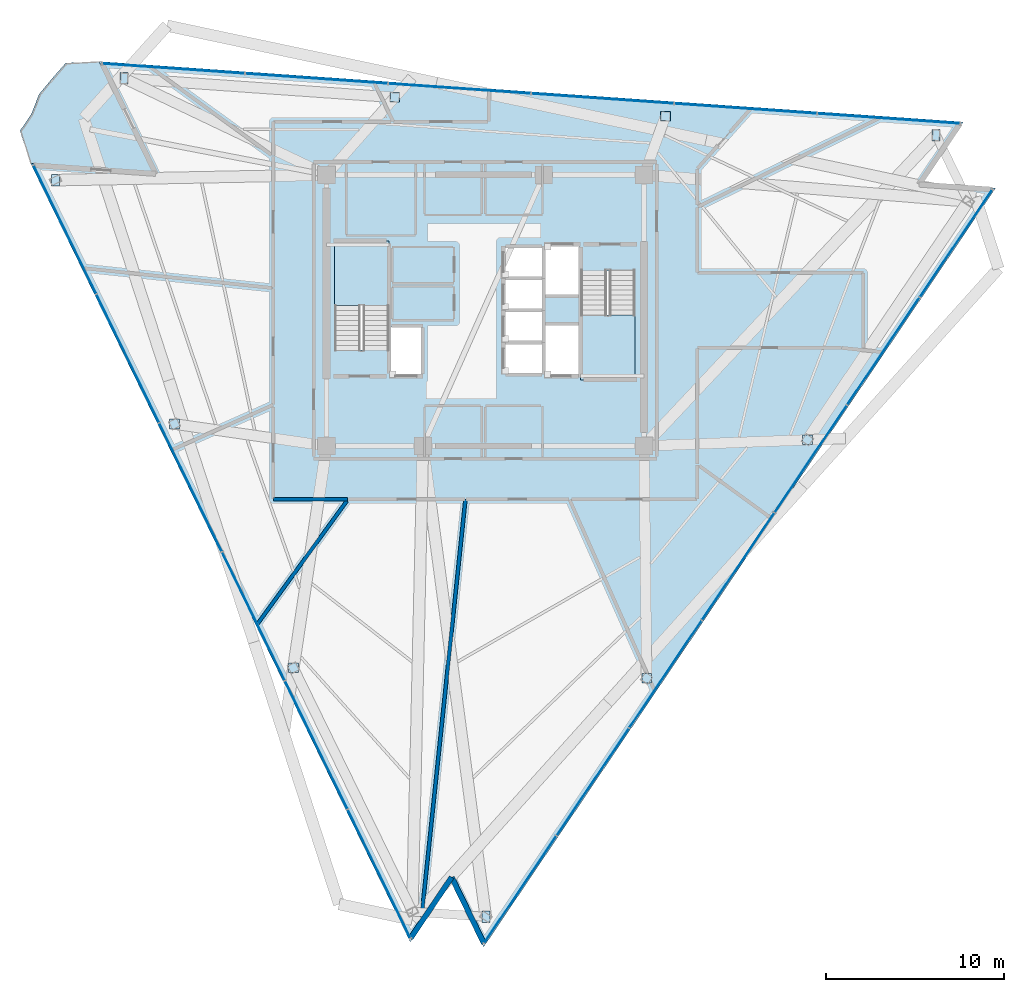
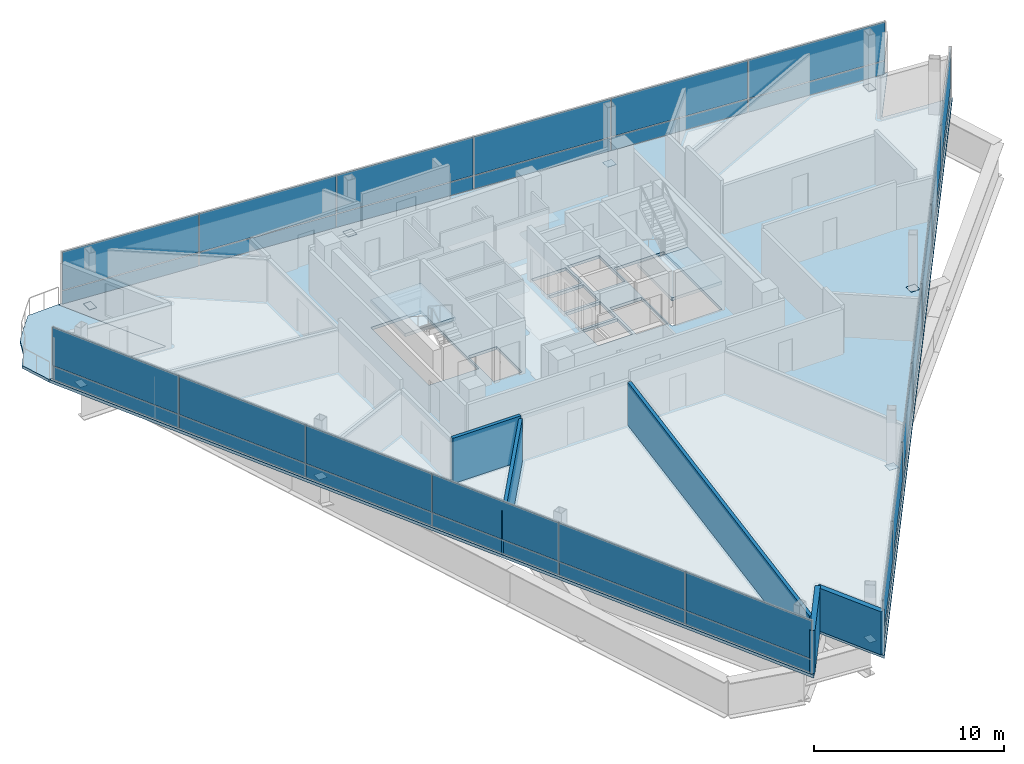
# One storey, part 8 of 14: 48 plates, 5 walls, 4 slabs, 5 elements without a shape of their own.
"""IFC4 building model written with IfcOpenShell, lengths in metres."""

import ifcopenshell
import ifcopenshell.guid

model = None  # the IFC model being written
_history = None  # IfcOwnerHistory: only IFC2X3 demands one
_inside = {}  # id of a spatial element -> (the spatial element, [elements in it])
_under = {}  # id of a project, library or spatial element -> (it, [spatial elements below it])
_declared = {}  # id of a project -> (the project, [libraries it declares])
_typed = {}  # id of a type object -> (the type object, [elements of that type])
_made_of = {}  # id of a material, layer set ... -> (it, [elements and type objects made of it])


def new_model(schema):
    """Start an empty IFC model of exactly this schema.

    Asked for "IFC4X3", IfcOpenShell would pick the latest addendum, in which some entities
    have other attributes; the version numbers below select the first issue.
    IFC2X3 requires an IfcOwnerHistory on every rooted entity: one is made here for all.
    """
    global model, _history
    if schema == "IFC4X3":
        model = ifcopenshell.file(schema_version=(4, 3, 0, 0))
    else:
        model = ifcopenshell.file(schema=schema)
    _inside.clear()
    _under.clear()
    _declared.clear()
    _typed.clear()
    _made_of.clear()
    _history = None
    if model.schema == "IFC2X3":
        org = make("IfcOrganization", Name="unknown")
        user = make(
            "IfcPersonAndOrganization",
            ThePerson=make("IfcPerson", FamilyName="unknown"),
            TheOrganization=org,
        )
        app = make(
            "IfcApplication",
            ApplicationDeveloper=org,
            Version="unknown",
            ApplicationFullName="unknown",
            ApplicationIdentifier="unknown",
        )
        _history = make(
            "IfcOwnerHistory",
            OwningUser=user,
            OwningApplication=app,
            ChangeAction="ADDED",
            CreationDate=0,
        )
    return model


def make(cls, **values):
    """One entity of the class cls with the attributes given. An attribute that is None is left unset."""
    return model.create_entity(
        cls, **{name: value for name, value in values.items() if value is not None}
    )


def rooted(cls, **values):
    """An entity with a GlobalId (a new one), such as an element, a storey or a relation."""
    return make(cls, GlobalId=ifcopenshell.guid.new(), OwnerHistory=_history, **values)


def si_unit(unit_type, name, prefix=None):
    """IfcSIUnit, for example si_unit("LENGTHUNIT", "METRE", prefix="MILLI")."""
    return make("IfcSIUnit", UnitType=unit_type, Prefix=prefix, Name=name)


def assignment(units):
    """IfcUnitAssignment: the units of a project."""
    return None if units is None else make("IfcUnitAssignment", Units=units)


def point(xyz):
    """IfcCartesianPoint."""
    return None if xyz is None else make("IfcCartesianPoint", Coordinates=xyz)


def direction(xyz):
    """IfcDirection."""
    return None if xyz is None else make("IfcDirection", DirectionRatios=xyz)


def frame(location, z_axis=None, x_axis=None):
    """IfcAxis2Placement3D, a coordinate frame: its origin and axes. An axis left out is left unset."""
    return make(
        "IfcAxis2Placement3D",
        Location=point(location),
        Axis=direction(z_axis),
        RefDirection=direction(x_axis),
    )


def frame_2d(location, x_axis=None):
    """IfcAxis2Placement2D, a coordinate frame in the plane: its origin and x axis."""
    return make(
        "IfcAxis2Placement2D", Location=point(location), RefDirection=direction(x_axis)
    )


def origin():
    """The frame at (0, 0, 0) with its axes left unset."""
    return frame((0.0, 0.0, 0.0))


def origin_2d():
    """The frame at (0, 0) in the plane with its x axis left unset."""
    return frame_2d((0.0, 0.0))


def place(relative_to, where):
    """IfcLocalPlacement: puts the frame where relative to a parent placement (None: the world)."""
    return make(
        "IfcLocalPlacement", PlacementRelTo=relative_to, RelativePlacement=where
    )


def context(
    kind, dimensions, precision=None, world=None, true_north=None, identifier=None
):
    """IfcGeometricRepresentationContext, for example the 3D "Model" context."""
    return make(
        "IfcGeometricRepresentationContext",
        ContextIdentifier=identifier,
        ContextType=kind,
        CoordinateSpaceDimension=dimensions,
        Precision=precision,
        WorldCoordinateSystem=world,
        TrueNorth=true_north,
    )


def subcontext(parent, identifier, kind, view, scale=None):
    """IfcGeometricRepresentationSubContext, for example "Body" below "Model"."""
    return make(
        "IfcGeometricRepresentationSubContext",
        ContextIdentifier=identifier,
        ContextType=kind,
        ParentContext=parent,
        TargetScale=scale,
        TargetView=view,
    )


def project(units=None, contexts=None):
    """IfcProject with its units and contexts."""
    return rooted(
        "IfcProject",
        Name="project",
        RepresentationContexts=contexts,
        UnitsInContext=assignment(units),
    )


def spatial(cls, under=None, at=None, **own):
    """A site, building, storey or space (cls), placed at a placement, below another one or the project."""
    s = rooted(cls, ObjectPlacement=at, **own)
    if under is not None:
        _under.setdefault(under.id(), (under, []))[1].append(s)
    return s


def polyline(points):
    """IfcPolyline through the points."""
    return make("IfcPolyline", Points=[point(p) for p in points])


def profile(cls, at=None, kind="AREA", **sizes):
    """A parametric profile (cls). Its sizes go by their IFC names, for example OverallWidth=200.0."""
    return make(cls, ProfileType=kind, Position=at, **sizes)


def rectangle(**sizes):
    """IfcRectangleProfileDef."""
    return profile("IfcRectangleProfileDef", **sizes)


def outline(outer, holes=None, kind="AREA"):
    """IfcArbitraryClosedProfileDef: a profile drawn as a closed curve; with holes, ...WithVoids."""
    if holes is None:
        return make("IfcArbitraryClosedProfileDef", ProfileType=kind, OuterCurve=outer)
    return make(
        "IfcArbitraryProfileDefWithVoids",
        ProfileType=kind,
        OuterCurve=outer,
        InnerCurves=holes,
    )


def extrude(swept, where, along, depth):
    """IfcExtrudedAreaSolid: the profile swept, set in the frame where, extruded along a direction by depth."""
    return make(
        "IfcExtrudedAreaSolid",
        SweptArea=swept,
        Position=where,
        ExtrudedDirection=direction(along),
        Depth=depth,
    )


def shape(context_of_items, identifier, shape_type, items):
    """IfcShapeRepresentation: the items that make up one representation, for example the "Body"."""
    return make(
        "IfcShapeRepresentation",
        ContextOfItems=context_of_items,
        RepresentationIdentifier=identifier,
        RepresentationType=shape_type,
        Items=items,
    )


def material(Name=None, Category=None):
    """IfcMaterial."""
    return make("IfcMaterial", Name=Name, Category=Category)


def layer(
    of_material, thickness, ventilated=None, Name=None, Category=None, Priority=None
):
    """IfcMaterialLayer: one layer of a wall or slab, of a material (None: an air gap)."""
    return make(
        "IfcMaterialLayer",
        Material=of_material,
        LayerThickness=thickness,
        IsVentilated=ventilated,
        Name=Name,
        Category=Category,
        Priority=Priority,
    )


def layer_set(layers, Name=None):
    """IfcMaterialLayerSet."""
    return make("IfcMaterialLayerSet", MaterialLayers=layers, LayerSetName=Name)


def made_of(thing, what):
    """Note that an element or type object is made of a material, layer set ...; save() writes the relation."""
    if what is not None:
        _made_of.setdefault(what.id(), (what, []))[1].append(thing)
    return thing


def type_object(cls, material=None, **own):
    """A type object (cls), such as IfcWallType, which elements share."""
    return made_of(rooted(cls, **own), material)


def element(
    cls,
    number,
    at=None,
    inside=None,
    cuts=None,
    type_object=None,
    material=None,
    context=None,
    identifier="Body",
    shape_type=None,
    held_by="IfcProductDefinitionShape",
    body=None,
    shapes=None,
    **own,
):
    """One element of the class cls, such as IfcWall. Its Tag is "e" and its number.

    at: its placement. inside: the storey or other place that contains it. cuts: it is an
    opening in that element (IfcRelVoidsElement). A single representation is given by context,
    identifier, shape_type and body (its items); several are given by shapes. held_by: the class
    of the entity that holds the representations. save() writes the other relations.
    """
    e = rooted(cls, Tag="e%d" % number, ObjectPlacement=at, **own)
    if body is not None:
        shapes = [shape(context, identifier, shape_type, body)]
    if shapes is not None:
        e.Representation = make(held_by, Representations=shapes)
    if inside is not None:
        _inside.setdefault(inside.id(), (inside, []))[1].append(e)
    if cuts is not None:
        rooted(
            "IfcRelVoidsElement", RelatingBuildingElement=cuts, RelatedOpeningElement=e
        )
    if type_object is not None:
        _typed.setdefault(type_object.id(), (type_object, []))[1].append(e)
    return made_of(e, material)


def aggregate(whole, parts):
    """IfcRelAggregates: a whole, such as a stair, and the parts it consists of."""
    return rooted("IfcRelAggregates", RelatingObject=whole, RelatedObjects=parts)


def save(model, path):
    """Write the relations noted so far, then the file.

    IfcRelAggregates (storeys below a building ...), IfcRelContainedInSpatialStructure (elements
    in a storey), IfcRelDefinesByType, IfcRelAssociatesMaterial and IfcRelDeclares: one each for
    every whole, place, type object, material and project.
    """
    for whole, parts in _under.values():
        aggregate(whole, parts)
    for where, things in _inside.values():
        rooted(
            "IfcRelContainedInSpatialStructure",
            RelatedElements=things,
            RelatingStructure=where,
        )
    for kind, things in _typed.values():
        rooted("IfcRelDefinesByType", RelatedObjects=things, RelatingType=kind)
    for what, things in _made_of.values():
        rooted("IfcRelAssociatesMaterial", RelatedObjects=things, RelatingMaterial=what)
    for by, libraries in _declared.values():
        rooted("IfcRelDeclares", RelatingContext=by, RelatedDefinitions=libraries)
    model.write(path)


model = new_model("IFC4")

# Units and contexts
model_context = context("Model", 3, precision=1e-05, world=origin(), true_north=direction((0.0, 1.0)))
body_context = subcontext(model_context, "Body", "Model", "MODEL_VIEW")
ifc_project = project(units=[si_unit("LENGTHUNIT", "METRE"), si_unit("AREAUNIT", "SQUARE_METRE"), si_unit("VOLUMEUNIT", "CUBIC_METRE"), si_unit("PLANEANGLEUNIT", "RADIAN"), si_unit("MASSUNIT", "GRAM", prefix="KILO")], contexts=[model_context])

# Site, building, storey
site_placement = place(None, origin())
site = spatial("IfcSite", under=ifc_project, at=site_placement, CompositionType="ELEMENT")
building_placement = place(site_placement, origin())
building = spatial("IfcBuilding", under=site, at=building_placement, Name="Tharavind Bronze Gate", CompositionType="ELEMENT")
storey_placement = place(building_placement, frame((0.0, 0.0, 227.050048828125)))
storey = spatial("IfcBuildingStorey", under=building, at=storey_placement, Name="L58", CompositionType="ELEMENT", Elevation=227.050048828125)

# Curtain wall, plates
ifc_material_1 = material(Name="Anodised Bronze Aluminium", Category="aluminium")
ifc_layer_1 = layer(ifc_material_1, 0.219970703125)
ifc_layer_set_1 = layer_set([ifc_layer_1], Name="Anodised Bronze Aluminium")
curtain_wall_type = type_object("IfcCurtainWallType", Name="UNITISED CURTAIN WALL UPPER OFFICE", PredefinedType="USERDEFINED", material=ifc_layer_set_1)
curtain_wall_1_placement = place(storey_placement, origin())
curtain_wall_1 = element("IfcCurtainWall", 1, at=curtain_wall_1_placement, inside=storey, type_object=curtain_wall_type, Name="L58 unitised curtain wall upper office CW-L58-S1", ObjectType="UNITISED CURTAIN WALL", PredefinedType="USERDEFINED")
ifc_material_2 = material(Name="Patinated Bronze Alloy Sheet", Category="bronze")
ifc_layer_2 = layer(ifc_material_2, 0.01611328125)
ifc_layer_set_2 = layer_set([ifc_layer_2], Name="Patinated Bronze Alloy Sheet")
plate_type_1 = type_object("IfcPlateType", Name="BRONZE SPANDREL CLADDING PANEL 16", PredefinedType="CURTAIN_PANEL", material=ifc_layer_set_2)
plate_1_placement = place(storey_placement, frame((-23.5751953125, 4.5283203125, 0.0263671875), z_axis=(0.0, 0.0, 1.0), x_axis=(0.438371146789, -0.898794046299, 0.0)))
plate_1 = element("IfcPlate", 2, at=plate_1_placement, type_object=plate_type_1, Name="CW-L58-S1 bronze spandrel panel 1", PredefinedType="CURTAIN_PANEL", context=body_context, shape_type="SweptSolid", body=[
    extrude(rectangle(XDim=7.985107421875, YDim=0.01611328125, at=origin_2d()), origin(), (0.0, 0.0, 1.0), 0.846923828125),
])
plate_2_placement = place(storey_placement, frame((-20.051513671875, -2.696044921875, 0.0263671875), z_axis=(0.0, 0.0, 1.0), x_axis=(0.438371146789, -0.898794046299, 0.0)))
plate_2 = element("IfcPlate", 3, at=plate_2_placement, type_object=plate_type_1, Name="CW-L58-S1 bronze spandrel panel 2", PredefinedType="CURTAIN_PANEL", context=body_context, shape_type="SweptSolid", body=[
    extrude(rectangle(XDim=7.985107421875, YDim=0.01611328125, at=origin_2d()), origin(), (0.0, 0.0, 1.0), 0.846923828125),
])
plate_3_placement = place(storey_placement, frame((-16.528076171875, -9.920654296875, 0.0263671875), z_axis=(0.0, 0.0, 1.0), x_axis=(0.438371146789, -0.898794046299, 0.0)))
plate_3 = element("IfcPlate", 4, at=plate_3_placement, type_object=plate_type_1, Name="CW-L58-S1 bronze spandrel panel 3", PredefinedType="CURTAIN_PANEL", context=body_context, shape_type="SweptSolid", body=[
    extrude(rectangle(XDim=7.985107421875, YDim=0.01611328125, at=origin_2d()), origin(), (0.0, 0.0, 1.0), 0.846923828125),
])
plate_4_placement = place(storey_placement, frame((-13.00439453125, -17.145263671875, 0.0263671875), z_axis=(0.0, 0.0, 1.0), x_axis=(0.438371146789, -0.898794046299, 0.0)))
plate_4 = element("IfcPlate", 5, at=plate_4_placement, type_object=plate_type_1, Name="CW-L58-S1 bronze spandrel panel 4", PredefinedType="CURTAIN_PANEL", context=body_context, shape_type="SweptSolid", body=[
    extrude(rectangle(XDim=7.985107421875, YDim=0.01611328125, at=origin_2d()), origin(), (0.0, 0.0, 1.0), 0.846923828125),
])
plate_5_placement = place(storey_placement, frame((-9.480712890625, -24.36962890625, 0.0263671875), z_axis=(0.0, 0.0, 1.0), x_axis=(0.438371146789, -0.898794046299, 0.0)))
plate_5 = element("IfcPlate", 6, at=plate_5_placement, type_object=plate_type_1, Name="CW-L58-S1 bronze spandrel panel 5", PredefinedType="CURTAIN_PANEL", context=body_context, shape_type="SweptSolid", body=[
    extrude(rectangle(XDim=7.985107421875, YDim=0.01611328125, at=origin_2d()), origin(), (0.0, 0.0, 1.0), 0.846923828125),
])
plate_6_placement = place(storey_placement, frame((-5.95703125, -31.59423828125, 0.0263671875), z_axis=(0.0, 0.0, 1.0), x_axis=(0.438371146789, -0.898794046299, 0.0)))
plate_6 = element("IfcPlate", 7, at=plate_6_placement, type_object=plate_type_1, Name="CW-L58-S1 bronze spandrel panel 6", PredefinedType="CURTAIN_PANEL", context=body_context, shape_type="SweptSolid", body=[
    extrude(rectangle(XDim=7.985107421875, YDim=0.01611328125, at=origin_2d()), origin(), (0.0, 0.0, 1.0), 0.846923828125),
])

curtain_wall_2_placement = place(storey_placement, origin())
curtain_wall_2 = element("IfcCurtainWall", 8, at=curtain_wall_2_placement, inside=storey, type_object=curtain_wall_type, Name="L58 unitised curtain wall upper office CW-L58-S2", ObjectType="UNITISED CURTAIN WALL", PredefinedType="USERDEFINED")
plate_7_placement = place(storey_placement, frame((1.958984375, -32.4755859375, 0.0263671875), z_axis=(0.0, 0.0, 1.0), x_axis=(0.559192903471, 0.829037572555, 0.0)))
plate_7 = element("IfcPlate", 9, at=plate_7_placement, type_object=plate_type_1, Name="CW-L58-S2 bronze spandrel panel 1", PredefinedType="CURTAIN_PANEL", context=body_context, shape_type="SweptSolid", body=[
    extrude(rectangle(XDim=7.22998046875, YDim=0.01611328125, at=origin_2d()), origin(), (0.0, 0.0, 1.0), 0.846923828125),
])
plate_8_placement = place(storey_placement, frame((6.031494140625, -26.437744140625, 0.0263671875), z_axis=(0.0, 0.0, 1.0), x_axis=(0.559192903471, 0.829037572555, 0.0)))
plate_8 = element("IfcPlate", 10, at=plate_8_placement, type_object=plate_type_1, Name="CW-L58-S2 bronze spandrel panel 2", PredefinedType="CURTAIN_PANEL", context=body_context, shape_type="SweptSolid", body=[
    extrude(rectangle(XDim=7.22998046875, YDim=0.01611328125, at=origin_2d()), origin(), (0.0, 0.0, 1.0), 0.846923828125),
])
plate_9_placement = place(storey_placement, frame((10.10400390625, -20.39990234375, 0.0263671875), z_axis=(0.0, 0.0, 1.0), x_axis=(0.559192903471, 0.829037572555, 0.0)))
plate_9 = element("IfcPlate", 11, at=plate_9_placement, type_object=plate_type_1, Name="CW-L58-S2 bronze spandrel panel 3", PredefinedType="CURTAIN_PANEL", context=body_context, shape_type="SweptSolid", body=[
    extrude(rectangle(XDim=7.22998046875, YDim=0.01611328125, at=origin_2d()), origin(), (0.0, 0.0, 1.0), 0.846923828125),
])
plate_10_placement = place(storey_placement, frame((14.176513671875, -14.3623046875, 0.0263671875), z_axis=(0.0, 0.0, 1.0), x_axis=(0.559192903471, 0.829037572555, 0.0)))
plate_10 = element("IfcPlate", 12, at=plate_10_placement, type_object=plate_type_1, Name="CW-L58-S2 bronze spandrel panel 4", PredefinedType="CURTAIN_PANEL", context=body_context, shape_type="SweptSolid", body=[
    extrude(rectangle(XDim=7.22998046875, YDim=0.01611328125, at=origin_2d()), origin(), (0.0, 0.0, 1.0), 0.846923828125),
])
plate_11_placement = place(storey_placement, frame((18.2490234375, -8.324462890625, 0.0263671875), z_axis=(0.0, 0.0, 1.0), x_axis=(0.559192903471, 0.829037572555, 0.0)))
plate_11 = element("IfcPlate", 13, at=plate_11_placement, type_object=plate_type_1, Name="CW-L58-S2 bronze spandrel panel 5", PredefinedType="CURTAIN_PANEL", context=body_context, shape_type="SweptSolid", body=[
    extrude(rectangle(XDim=7.22998046875, YDim=0.01611328125, at=origin_2d()), origin(), (0.0, 0.0, 1.0), 0.846923828125),
])
plate_12_placement = place(storey_placement, frame((22.321533203125, -2.28662109375, 0.0263671875), z_axis=(0.0, 0.0, 1.0), x_axis=(0.559192903471, 0.829037572555, 0.0)))
plate_12 = element("IfcPlate", 14, at=plate_12_placement, type_object=plate_type_1, Name="CW-L58-S2 bronze spandrel panel 6", PredefinedType="CURTAIN_PANEL", context=body_context, shape_type="SweptSolid", body=[
    extrude(rectangle(XDim=7.22998046875, YDim=0.01611328125, at=origin_2d()), origin(), (0.0, 0.0, 1.0), 0.846923828125),
])
plate_13_placement = place(storey_placement, frame((26.39404296875, 3.751220703125, 0.0263671875), z_axis=(0.0, 0.0, 1.0), x_axis=(0.559192903471, 0.829037572555, 0.0)))
plate_13 = element("IfcPlate", 15, at=plate_13_placement, type_object=plate_type_1, Name="CW-L58-S2 bronze spandrel panel 7", PredefinedType="CURTAIN_PANEL", context=body_context, shape_type="SweptSolid", body=[
    extrude(rectangle(XDim=7.22998046875, YDim=0.01611328125, at=origin_2d()), origin(), (0.0, 0.0, 1.0), 0.846923828125),
])

curtain_wall_3_placement = place(storey_placement, origin())
curtain_wall_3 = element("IfcCurtainWall", 16, at=curtain_wall_3_placement, inside=storey, type_object=curtain_wall_type, Name="L58 unitised curtain wall upper office CW-L58-S3", ObjectType="UNITISED CURTAIN WALL", PredefinedType="USERDEFINED")
plate_14_placement = place(storey_placement, frame((22.611572265625, 10.760498046875, 0.0263671875), z_axis=(0.0, 0.0, 1.0), x_axis=(-0.99756392851, 0.069758214822, 0.0)))
plate_14 = element("IfcPlate", 17, at=plate_14_placement, type_object=plate_type_1, Name="CW-L58-S3 bronze spandrel panel 1", PredefinedType="CURTAIN_PANEL", context=body_context, shape_type="SweptSolid", body=[
    extrude(rectangle(XDim=7.985107421875, YDim=0.01611328125, at=origin_2d()), origin(), (0.0, 0.0, 1.0), 0.846923828125),
])
plate_15_placement = place(storey_placement, frame((14.593017578125, 11.3212890625, 0.0263671875), z_axis=(0.0, 0.0, 1.0), x_axis=(-0.99756392851, 0.069758214822, 0.0)))
plate_15 = element("IfcPlate", 18, at=plate_15_placement, type_object=plate_type_1, Name="CW-L58-S3 bronze spandrel panel 2", PredefinedType="CURTAIN_PANEL", context=body_context, shape_type="SweptSolid", body=[
    extrude(rectangle(XDim=7.985107421875, YDim=0.01611328125, at=origin_2d()), origin(), (0.0, 0.0, 1.0), 0.846923828125),
])
plate_16_placement = place(storey_placement, frame((6.57470703125, 11.882080078125, 0.0263671875), z_axis=(0.0, 0.0, 1.0), x_axis=(-0.99756392851, 0.069758214822, 0.0)))
plate_16 = element("IfcPlate", 19, at=plate_16_placement, type_object=plate_type_1, Name="CW-L58-S3 bronze spandrel panel 3", PredefinedType="CURTAIN_PANEL", context=body_context, shape_type="SweptSolid", body=[
    extrude(rectangle(XDim=7.985107421875, YDim=0.01611328125, at=origin_2d()), origin(), (0.0, 0.0, 1.0), 0.846923828125),
])
plate_17_placement = place(storey_placement, frame((-1.44384765625, 12.442626953125, 0.0263671875), z_axis=(0.0, 0.0, 1.0), x_axis=(-0.99756392851, 0.069758214822, 0.0)))
plate_17 = element("IfcPlate", 20, at=plate_17_placement, type_object=plate_type_1, Name="CW-L58-S3 bronze spandrel panel 4", PredefinedType="CURTAIN_PANEL", context=body_context, shape_type="SweptSolid", body=[
    extrude(rectangle(XDim=7.985107421875, YDim=0.01611328125, at=origin_2d()), origin(), (0.0, 0.0, 1.0), 0.846923828125),
])
plate_18_placement = place(storey_placement, frame((-9.462158203125, 13.00341796875, 0.0263671875), z_axis=(0.0, 0.0, 1.0), x_axis=(-0.99756392851, 0.069758214822, 0.0)))
plate_18 = element("IfcPlate", 21, at=plate_18_placement, type_object=plate_type_1, Name="CW-L58-S3 bronze spandrel panel 5", PredefinedType="CURTAIN_PANEL", context=body_context, shape_type="SweptSolid", body=[
    extrude(rectangle(XDim=7.985107421875, YDim=0.01611328125, at=origin_2d()), origin(), (0.0, 0.0, 1.0), 0.846923828125),
])
plate_19_placement = place(storey_placement, frame((-17.480712890625, 13.564208984375, 0.0263671875), z_axis=(0.0, 0.0, 1.0), x_axis=(-0.99756392851, 0.069758214822, 0.0)))
plate_19 = element("IfcPlate", 22, at=plate_19_placement, type_object=plate_type_1, Name="CW-L58-S3 bronze spandrel panel 6", PredefinedType="CURTAIN_PANEL", context=body_context, shape_type="SweptSolid", body=[
    extrude(rectangle(XDim=7.985107421875, YDim=0.01611328125, at=origin_2d()), origin(), (0.0, 0.0, 1.0), 0.846923828125),
])

# Slab
ifc_material_3 = material(Name="Concrete C40/50", Category="concrete")
ifc_layer_3 = layer(ifc_material_3, 0.179931640625)
ifc_layer_set_3 = layer_set([ifc_layer_3], Name="Concrete C40/50")
slab_type_1 = type_object("IfcSlabType", Name="EXTERIOR BALCONY SLAB 180", PredefinedType="FLOOR", material=ifc_layer_set_3)
slab_1_placement = place(storey_placement, frame((0.0, 0.0, -0.179931640625)))
element("IfcSlab", 23, at=slab_1_placement, inside=storey, type_object=slab_type_1, Name="L58 northeast tree balcony slab", PredefinedType="FLOOR", context=body_context, shape_type="SweptSolid", body=[
    extrude(outline(polyline([(-23.523193359375, 13.869873046875), (-24.287109375, 13.001953125), (-25.021484375, 12.114013671875), (-25.447021484375, 11.01806640625), (-26.088134765625, 10.0673828125), (-25.5029296875, 8.25244140625), (-18.6396484375, 7.772705078125), (-21.65576171875, 13.956298828125), (-23.523193359375, 13.869873046875)])), origin(), (0.0, 0.0, 1.0), 0.179931640625),
])

# Stair, slab
stair_type = type_object("IfcStairType", Name="CORE HALF TURN STAIR 1450", PredefinedType="HALF_TURN_STAIR", material=ifc_material_3)
stair_1_placement = place(storey_placement, origin())
stair_1 = element("IfcStair", 24, at=stair_1_placement, inside=storey, type_object=stair_type, Name="L58 Protected Exit Stair ST1", PredefinedType="HALF_TURN_STAIR")
ifc_layer_4 = layer(ifc_material_3, 0.199951171875)
ifc_layer_set_4 = layer_set([ifc_layer_4], Name="Concrete C40/50")
slab_type_2 = type_object("IfcSlabType", Name="STAIR LANDING SLAB 200", PredefinedType="LANDING", material=ifc_layer_set_4)
slab_2_placement = place(storey_placement, frame((0.0, 0.0, 1.599853515625)))
slab_2 = element("IfcSlab", 25, at=slab_2_placement, type_object=slab_type_2, Name="ST1 landing 1", PredefinedType="LANDING", context=body_context, shape_type="SweptSolid", body=[
    extrude(outline(polyline([(-5.39990234375, 0.27001953125), (-5.39990234375, 3.89990234375), (-8.449951171875, 3.89990234375), (-8.449951171875, 0.27001953125), (-5.39990234375, 0.27001953125)])), origin(), (0.0, 0.0, 1.0), 0.2001953125),
])
aggregate(stair_1, [slab_2])

stair_2_placement = place(storey_placement, origin())
stair_2 = element("IfcStair", 26, at=stair_2_placement, inside=storey, type_object=stair_type, Name="L58 Protected Exit Stair ST2", PredefinedType="HALF_TURN_STAIR")
slab_3_placement = place(storey_placement, frame((0.0, 0.0, 1.599853515625)))
slab_3 = element("IfcSlab", 27, at=slab_3_placement, type_object=slab_type_2, Name="ST2 landing 1", PredefinedType="LANDING", context=body_context, shape_type="SweptSolid", body=[
    extrude(outline(polyline([(5.35009765625, -0.27001953125), (5.35009765625, -3.89990234375), (8.39990234375, -3.89990234375), (8.39990234375, -0.27001953125), (5.35009765625, -0.27001953125)])), origin(), (0.0, 0.0, 1.0), 0.2001953125),
])
aggregate(stair_2, [slab_3])

# Plates
ifc_material_4 = material(Name="Steel S460", Category="steel")
ifc_layer_5 = layer(ifc_material_4, 0.02490234375)
ifc_layer_set_5 = layer_set([ifc_layer_5], Name="Steel S460")
plate_type_2 = type_object("IfcPlateType", Name="STEEL END CAP SHEET 25", PredefinedType="SHEET", material=ifc_layer_set_5)
plate_20_placement = place(storey_placement, frame((-24.093505859375, 7.302001953125, -0.202392578125), z_axis=(0.0, 0.0, 1.0), x_axis=(1.0, 0.0, 0.0)))
element("IfcPlate", 28, at=plate_20_placement, inside=storey, type_object=plate_type_2, Name="Steel end cap plate CAP-COLB-L58-S1C1", PredefinedType="SHEET", context=body_context, shape_type="SweptSolid", body=[
    extrude(rectangle(XDim=0.445068359375, YDim=0.64501953125, at=origin_2d()), origin(), (0.0, 0.0, 1.0), 0.02490234375),
])
for number, where, z_axis, x_axis, name in (
    (29, (-17.42578125, -6.368896484375, -0.202392578125), (0.0, 0.0, 1.0), (1.0, 0.0, 0.0), "Steel end cap plate CAP-COLB-L58-S1C2"),
    (30, (-10.75830078125, -20.039306640625, -0.012451171875), (0.0, 0.0, 1.0), (1.0, 0.0, 0.0), "Steel end cap plate CAP-COLB-L58-S1C3"),
):
    element("IfcPlate", number, at=place(storey_placement, frame(where, z_axis=z_axis, x_axis=x_axis)), inside=storey, type_object=plate_type_2, Name=name, PredefinedType="SHEET", context=body_context, shape_type="SweptSolid", body=[
        extrude(rectangle(XDim=0.544921875, YDim=0.544921875, at=origin_2d()), origin(), (0.0, 0.0, 1.0), 0.02490234375),
    ])
plate_21_placement = place(storey_placement, frame((0.02734375, -33.998046875, -0.012451171875), z_axis=(0.0, 0.0, 1.0), x_axis=(1.0, 0.0, 0.0)))
element("IfcPlate", 31, at=plate_21_placement, inside=storey, type_object=plate_type_2, Name="Steel end cap plate CAP-COLB-L58-S2C1", PredefinedType="SHEET", context=body_context, shape_type="SweptSolid", body=[
    extrude(rectangle(XDim=0.445068359375, YDim=0.64501953125, at=origin_2d()), origin(), (0.0, 0.0, 1.0), 0.02490234375),
])
for number, where, z_axis, x_axis, name in (
    (32, (9.045654296875, -20.627685546875, -0.202392578125), (0.0, 0.0, 1.0), (1.0, 0.0, 0.0), "Steel end cap plate CAP-COLB-L58-S2C2"),
    (33, (18.06396484375, -7.2578125, -0.012451171875), (0.0, 0.0, 1.0), (1.0, 0.0, 0.0), "Steel end cap plate CAP-COLB-L58-S2C3"),
):
    element("IfcPlate", number, at=place(storey_placement, frame(where, z_axis=z_axis, x_axis=x_axis)), inside=storey, type_object=plate_type_2, Name=name, PredefinedType="SHEET", context=body_context, shape_type="SweptSolid", body=[
        extrude(rectangle(XDim=0.544921875, YDim=0.544921875, at=origin_2d()), origin(), (0.0, 0.0, 1.0), 0.02490234375),
    ])
plate_22_placement = place(storey_placement, frame((25.272705078125, 9.82275390625, -0.012451171875), z_axis=(0.0, 0.0, 1.0), x_axis=(1.0, 0.0, 0.0)))
element("IfcPlate", 34, at=plate_22_placement, inside=storey, type_object=plate_type_2, Name="Steel end cap plate CAP-COLB-L58-S3C1", PredefinedType="SHEET", context=body_context, shape_type="SweptSolid", body=[
    extrude(rectangle(XDim=0.445068359375, YDim=0.64501953125, at=origin_2d()), origin(), (0.0, 0.0, 1.0), 0.02490234375),
])
for number, where, z_axis, x_axis, name in (
    (35, (10.099609375, 10.8837890625, -0.202392578125), (0.0, 0.0, 1.0), (1.0, 0.0, 0.0), "Steel end cap plate CAP-COLB-L58-S3C2"),
    (36, (-5.0732421875, 11.944580078125, -0.012451171875), (0.0, 0.0, 1.0), (1.0, 0.0, 0.0), "Steel end cap plate CAP-COLB-L58-S3C3"),
):
    element("IfcPlate", number, at=place(storey_placement, frame(where, z_axis=z_axis, x_axis=x_axis)), inside=storey, type_object=plate_type_2, Name=name, PredefinedType="SHEET", context=body_context, shape_type="SweptSolid", body=[
        extrude(rectangle(XDim=0.544921875, YDim=0.544921875, at=origin_2d()), origin(), (0.0, 0.0, 1.0), 0.02490234375),
    ])
plate_23_placement = place(storey_placement, frame((-20.246337890625, 13.005615234375, -0.012451171875), z_axis=(0.0, 0.0, 1.0), x_axis=(1.0, 0.0, 0.0)))
element("IfcPlate", 37, at=plate_23_placement, inside=storey, type_object=plate_type_2, Name="Steel end cap plate CAP-COLB-L58-S3C4", PredefinedType="SHEET", context=body_context, shape_type="SweptSolid", body=[
    extrude(rectangle(XDim=0.445068359375, YDim=0.64501953125, at=origin_2d()), origin(), (0.0, 0.0, 1.0), 0.02490234375),
])

# Slab
ifc_layer_6 = layer(ifc_material_3, 0.18994140625)
ifc_layer_set_6 = layer_set([ifc_layer_6], Name="Concrete C40/50")
slab_type_3 = type_object("IfcSlabType", Name="STRUCTURAL FLOOR SLAB 190", PredefinedType="FLOOR", material=ifc_layer_set_6)
slab_4_placement = place(storey_placement, frame((0.0, 0.0, -0.18994140625)))
element("IfcSlab", 38, at=slab_4_placement, inside=storey, type_object=slab_type_3, Name="L58 main structural floor slab", PredefinedType="FLOOR", context=body_context, shape_type="SweptSolid", body=[
    extrude(outline(polyline([(-21.65576171875, 13.956298828125), (-18.6396484375, 7.772705078125), (-25.5029296875, 8.25244140625), (-4.209228515625, -35.406005859375), (-1.90087890625, -31.983642578125), (-0.09130859375, -35.69384765625), (28.610107421875, 6.857666015625), (24.4921875, 7.145751953125), (26.800537109375, 10.56787109375), (-21.65576171875, 13.956298828125)]), holes=[polyline([(-5.39990234375, -2.215087890625), (-5.39990234375, 3.89990234375), (-8.449951171875, 3.89990234375), (-8.449951171875, -2.215087890625), (-5.39990234375, -2.215087890625)]), polyline([(5.35009765625, 2.215087890625), (5.35009765625, -3.89990234375), (8.39990234375, -3.89990234375), (8.39990234375, 2.215087890625), (5.35009765625, 2.215087890625)]), polyline([(1.080078125, -3.52001953125), (3.199951171875, -3.52001953125), (3.199951171875, -1.8798828125), (1.080078125, -1.8798828125), (1.080078125, -3.52001953125)]), polyline([(1.080078125, -1.719970703125), (3.199951171875, -1.719970703125), (3.199951171875, -0.080078125), (1.080078125, -0.080078125), (1.080078125, -1.719970703125)]), polyline([(1.080078125, 0.080078125), (3.199951171875, 0.080078125), (3.199951171875, 1.719970703125), (1.080078125, 1.719970703125), (1.080078125, 0.080078125)]), polyline([(1.080078125, 1.8798828125), (3.199951171875, 1.8798828125), (3.199951171875, 3.52001953125), (1.080078125, 3.52001953125), (1.080078125, 1.8798828125)]), polyline([(-5.320068359375, -3.6201171875), (-3.580078125, -3.6201171875), (-3.580078125, -0.929931640625), (-5.320068359375, -0.929931640625), (-5.320068359375, -3.6201171875)]), polyline([(3.360107421875, 0.8798828125), (5.27001953125, 0.8798828125), (5.27001953125, 3.6201171875), (3.360107421875, 3.6201171875), (3.360107421875, 0.8798828125)]), polyline([(3.360107421875, -3.6201171875), (5.27001953125, -3.6201171875), (5.27001953125, -0.830078125), (3.360107421875, -0.830078125), (3.360107421875, -3.6201171875)])]), origin(), (0.0, 0.0, 1.0), 0.18994140625),
])

# Plate
ifc_material_5 = material(Name="Triple Solar Control Glazing", Category="glass")
ifc_layer_7 = layer(ifc_material_5, 0.0439453125)
ifc_layer_set_7 = layer_set([ifc_layer_7], Name="Triple Solar Control Glazing")
plate_type_3 = type_object("IfcPlateType", Name="TRIPLE GLAZED FACADE PANEL 44", PredefinedType="CURTAIN_PANEL", material=ifc_layer_set_7)
plate_24_placement = place(storey_placement, frame((-23.5751953125, 4.5283203125, 0.92626953125), z_axis=(0.0, 0.0, 1.0), x_axis=(0.438371146789, -0.898794046299, 0.0)))
plate_24 = element("IfcPlate", 39, at=plate_24_placement, type_object=plate_type_3, Name="CW-L58-S1 vision glazing panel 1", PredefinedType="CURTAIN_PANEL", context=body_context, shape_type="SweptSolid", body=[
    extrude(rectangle(XDim=7.985107421875, YDim=0.0439453125, at=origin_2d()), origin(), (0.0, 0.0, 1.0), 2.467041015625),
])

plate_25_placement = place(storey_placement, frame((-20.051513671875, -2.696044921875, 0.92626953125), z_axis=(0.0, 0.0, 1.0), x_axis=(0.438371146789, -0.898794046299, 0.0)))
plate_25 = element("IfcPlate", 40, at=plate_25_placement, type_object=plate_type_3, Name="CW-L58-S1 vision glazing panel 2", PredefinedType="CURTAIN_PANEL", context=body_context, shape_type="SweptSolid", body=[
    extrude(rectangle(XDim=7.985107421875, YDim=0.0439453125, at=origin_2d()), origin(), (0.0, 0.0, 1.0), 2.467041015625),
])

plate_26_placement = place(storey_placement, frame((-16.528076171875, -9.920654296875, 0.92626953125), z_axis=(0.0, 0.0, 1.0), x_axis=(0.438371146789, -0.898794046299, 0.0)))
plate_26 = element("IfcPlate", 41, at=plate_26_placement, type_object=plate_type_3, Name="CW-L58-S1 vision glazing panel 3", PredefinedType="CURTAIN_PANEL", context=body_context, shape_type="SweptSolid", body=[
    extrude(rectangle(XDim=7.985107421875, YDim=0.0439453125, at=origin_2d()), origin(), (0.0, 0.0, 1.0), 2.467041015625),
])

plate_27_placement = place(storey_placement, frame((-13.00439453125, -17.145263671875, 0.92626953125), z_axis=(0.0, 0.0, 1.0), x_axis=(0.438371146789, -0.898794046299, 0.0)))
plate_27 = element("IfcPlate", 42, at=plate_27_placement, type_object=plate_type_3, Name="CW-L58-S1 vision glazing panel 4", PredefinedType="CURTAIN_PANEL", context=body_context, shape_type="SweptSolid", body=[
    extrude(rectangle(XDim=7.985107421875, YDim=0.0439453125, at=origin_2d()), origin(), (0.0, 0.0, 1.0), 2.467041015625),
])

plate_28_placement = place(storey_placement, frame((-9.480712890625, -24.36962890625, 0.92626953125), z_axis=(0.0, 0.0, 1.0), x_axis=(0.438371146789, -0.898794046299, 0.0)))
plate_28 = element("IfcPlate", 43, at=plate_28_placement, type_object=plate_type_3, Name="CW-L58-S1 vision glazing panel 5", PredefinedType="CURTAIN_PANEL", context=body_context, shape_type="SweptSolid", body=[
    extrude(rectangle(XDim=7.985107421875, YDim=0.0439453125, at=origin_2d()), origin(), (0.0, 0.0, 1.0), 2.467041015625),
])

plate_29_placement = place(storey_placement, frame((-5.95703125, -31.59423828125, 0.92626953125), z_axis=(0.0, 0.0, 1.0), x_axis=(0.438371146789, -0.898794046299, 0.0)))
plate_29 = element("IfcPlate", 44, at=plate_29_placement, type_object=plate_type_3, Name="CW-L58-S1 vision glazing panel 6", PredefinedType="CURTAIN_PANEL", context=body_context, shape_type="SweptSolid", body=[
    extrude(rectangle(XDim=7.985107421875, YDim=0.0439453125, at=origin_2d()), origin(), (0.0, 0.0, 1.0), 2.467041015625),
])

aggregate(curtain_wall_1, [plate_1, plate_24, plate_2, plate_25, plate_3, plate_26, plate_4, plate_27, plate_5, plate_28, plate_6, plate_29])

plate_30_placement = place(storey_placement, frame((1.958984375, -32.4755859375, 0.92626953125), z_axis=(0.0, 0.0, 1.0), x_axis=(0.559192903471, 0.829037572555, 0.0)))
plate_30 = element("IfcPlate", 45, at=plate_30_placement, type_object=plate_type_3, Name="CW-L58-S2 vision glazing panel 1", PredefinedType="CURTAIN_PANEL", context=body_context, shape_type="SweptSolid", body=[
    extrude(rectangle(XDim=7.22998046875, YDim=0.0439453125, at=origin_2d()), origin(), (0.0, 0.0, 1.0), 2.467041015625),
])

plate_31_placement = place(storey_placement, frame((6.031494140625, -26.437744140625, 0.92626953125), z_axis=(0.0, 0.0, 1.0), x_axis=(0.559192903471, 0.829037572555, 0.0)))
plate_31 = element("IfcPlate", 46, at=plate_31_placement, type_object=plate_type_3, Name="CW-L58-S2 vision glazing panel 2", PredefinedType="CURTAIN_PANEL", context=body_context, shape_type="SweptSolid", body=[
    extrude(rectangle(XDim=7.22998046875, YDim=0.0439453125, at=origin_2d()), origin(), (0.0, 0.0, 1.0), 2.467041015625),
])

plate_32_placement = place(storey_placement, frame((10.10400390625, -20.39990234375, 0.92626953125), z_axis=(0.0, 0.0, 1.0), x_axis=(0.559192903471, 0.829037572555, 0.0)))
plate_32 = element("IfcPlate", 47, at=plate_32_placement, type_object=plate_type_3, Name="CW-L58-S2 vision glazing panel 3", PredefinedType="CURTAIN_PANEL", context=body_context, shape_type="SweptSolid", body=[
    extrude(rectangle(XDim=7.22998046875, YDim=0.0439453125, at=origin_2d()), origin(), (0.0, 0.0, 1.0), 2.467041015625),
])

plate_33_placement = place(storey_placement, frame((14.176513671875, -14.3623046875, 0.92626953125), z_axis=(0.0, 0.0, 1.0), x_axis=(0.559192903471, 0.829037572555, 0.0)))
plate_33 = element("IfcPlate", 48, at=plate_33_placement, type_object=plate_type_3, Name="CW-L58-S2 vision glazing panel 4", PredefinedType="CURTAIN_PANEL", context=body_context, shape_type="SweptSolid", body=[
    extrude(rectangle(XDim=7.22998046875, YDim=0.0439453125, at=origin_2d()), origin(), (0.0, 0.0, 1.0), 2.467041015625),
])

plate_34_placement = place(storey_placement, frame((18.2490234375, -8.324462890625, 0.92626953125), z_axis=(0.0, 0.0, 1.0), x_axis=(0.559192903471, 0.829037572555, 0.0)))
plate_34 = element("IfcPlate", 49, at=plate_34_placement, type_object=plate_type_3, Name="CW-L58-S2 vision glazing panel 5", PredefinedType="CURTAIN_PANEL", context=body_context, shape_type="SweptSolid", body=[
    extrude(rectangle(XDim=7.22998046875, YDim=0.0439453125, at=origin_2d()), origin(), (0.0, 0.0, 1.0), 2.467041015625),
])

plate_35_placement = place(storey_placement, frame((22.321533203125, -2.28662109375, 0.92626953125), z_axis=(0.0, 0.0, 1.0), x_axis=(0.559192903471, 0.829037572555, 0.0)))
plate_35 = element("IfcPlate", 50, at=plate_35_placement, type_object=plate_type_3, Name="CW-L58-S2 vision glazing panel 6", PredefinedType="CURTAIN_PANEL", context=body_context, shape_type="SweptSolid", body=[
    extrude(rectangle(XDim=7.22998046875, YDim=0.0439453125, at=origin_2d()), origin(), (0.0, 0.0, 1.0), 2.467041015625),
])

plate_36_placement = place(storey_placement, frame((26.39404296875, 3.751220703125, 0.92626953125), z_axis=(0.0, 0.0, 1.0), x_axis=(0.559192903471, 0.829037572555, 0.0)))
plate_36 = element("IfcPlate", 51, at=plate_36_placement, type_object=plate_type_3, Name="CW-L58-S2 vision glazing panel 7", PredefinedType="CURTAIN_PANEL", context=body_context, shape_type="SweptSolid", body=[
    extrude(rectangle(XDim=7.22998046875, YDim=0.0439453125, at=origin_2d()), origin(), (0.0, 0.0, 1.0), 2.467041015625),
])

aggregate(curtain_wall_2, [plate_7, plate_30, plate_8, plate_31, plate_9, plate_32, plate_10, plate_33, plate_11, plate_34, plate_12, plate_35, plate_13, plate_36])

plate_37_placement = place(storey_placement, frame((22.611572265625, 10.760498046875, 0.92626953125), z_axis=(0.0, 0.0, 1.0), x_axis=(-0.99756392851, 0.069758214822, 0.0)))
plate_37 = element("IfcPlate", 52, at=plate_37_placement, type_object=plate_type_3, Name="CW-L58-S3 vision glazing panel 1", PredefinedType="CURTAIN_PANEL", context=body_context, shape_type="SweptSolid", body=[
    extrude(rectangle(XDim=7.985107421875, YDim=0.0439453125, at=origin_2d()), origin(), (0.0, 0.0, 1.0), 2.467041015625),
])

plate_38_placement = place(storey_placement, frame((14.593017578125, 11.3212890625, 0.92626953125), z_axis=(0.0, 0.0, 1.0), x_axis=(-0.99756392851, 0.069758214822, 0.0)))
plate_38 = element("IfcPlate", 53, at=plate_38_placement, type_object=plate_type_3, Name="CW-L58-S3 vision glazing panel 2", PredefinedType="CURTAIN_PANEL", context=body_context, shape_type="SweptSolid", body=[
    extrude(rectangle(XDim=7.985107421875, YDim=0.0439453125, at=origin_2d()), origin(), (0.0, 0.0, 1.0), 2.467041015625),
])

plate_39_placement = place(storey_placement, frame((6.57470703125, 11.882080078125, 0.92626953125), z_axis=(0.0, 0.0, 1.0), x_axis=(-0.99756392851, 0.069758214822, 0.0)))
plate_39 = element("IfcPlate", 54, at=plate_39_placement, type_object=plate_type_3, Name="CW-L58-S3 vision glazing panel 3", PredefinedType="CURTAIN_PANEL", context=body_context, shape_type="SweptSolid", body=[
    extrude(rectangle(XDim=7.985107421875, YDim=0.0439453125, at=origin_2d()), origin(), (0.0, 0.0, 1.0), 2.467041015625),
])

plate_40_placement = place(storey_placement, frame((-1.44384765625, 12.442626953125, 0.92626953125), z_axis=(0.0, 0.0, 1.0), x_axis=(-0.99756392851, 0.069758214822, 0.0)))
plate_40 = element("IfcPlate", 55, at=plate_40_placement, type_object=plate_type_3, Name="CW-L58-S3 vision glazing panel 4", PredefinedType="CURTAIN_PANEL", context=body_context, shape_type="SweptSolid", body=[
    extrude(rectangle(XDim=7.985107421875, YDim=0.0439453125, at=origin_2d()), origin(), (0.0, 0.0, 1.0), 2.467041015625),
])

plate_41_placement = place(storey_placement, frame((-9.462158203125, 13.00341796875, 0.92626953125), z_axis=(0.0, 0.0, 1.0), x_axis=(-0.99756392851, 0.069758214822, 0.0)))
plate_41 = element("IfcPlate", 56, at=plate_41_placement, type_object=plate_type_3, Name="CW-L58-S3 vision glazing panel 5", PredefinedType="CURTAIN_PANEL", context=body_context, shape_type="SweptSolid", body=[
    extrude(rectangle(XDim=7.985107421875, YDim=0.0439453125, at=origin_2d()), origin(), (0.0, 0.0, 1.0), 2.467041015625),
])

plate_42_placement = place(storey_placement, frame((-17.480712890625, 13.564208984375, 0.92626953125), z_axis=(0.0, 0.0, 1.0), x_axis=(-0.99756392851, 0.069758214822, 0.0)))
plate_42 = element("IfcPlate", 57, at=plate_42_placement, type_object=plate_type_3, Name="CW-L58-S3 vision glazing panel 6", PredefinedType="CURTAIN_PANEL", context=body_context, shape_type="SweptSolid", body=[
    extrude(rectangle(XDim=7.985107421875, YDim=0.0439453125, at=origin_2d()), origin(), (0.0, 0.0, 1.0), 2.467041015625),
])

aggregate(curtain_wall_3, [plate_14, plate_37, plate_15, plate_38, plate_16, plate_39, plate_17, plate_40, plate_18, plate_41, plate_19, plate_42])

# Walls
ifc_layer_8 = layer(ifc_material_3, 0.300048828125)
ifc_layer_set_8 = layer_set([ifc_layer_8], Name="Concrete C40/50")
wall_type_1 = type_object("IfcWallType", Name="EXTERIOR SPANDREL WALL 300", PredefinedType="STANDARD", material=ifc_layer_set_8)
wall_1_placement = place(storey_placement, frame((-4.1953125, -35.20654296875, 0.0), z_axis=(0.0, 0.0, 1.0), x_axis=(0.559182319101, 0.829044711704, 0.0)))
element("IfcWall", 58, at=wall_1_placement, inside=storey, type_object=wall_type_1, Name="L58 notch cheek wall 2A", PredefinedType="STANDARD", context=body_context, shape_type="SweptSolid", body=[
    extrude(rectangle(XDim=4.128173828125, YDim=0.300048828125, at=frame_2d((2.06396484375, 0.0))), origin(), (0.0, 0.0, 1.0), 2.764892578125),
])
wall_2_placement = place(storey_placement, frame((-1.886962890625, -31.7841796875, 0.0), z_axis=(0.0, 0.0, 1.0), x_axis=(0.438367699713, -0.898795727542, 0.0)))
element("IfcWall", 59, at=wall_2_placement, inside=storey, type_object=wall_type_1, Name="L58 notch cheek wall 2B", PredefinedType="STANDARD", context=body_context, shape_type="SweptSolid", body=[
    extrude(rectangle(XDim=4.1279296875, YDim=0.300048828125, at=frame_2d((2.06396484375, 0.0))), origin(), (0.0, 0.0, 1.0), 2.764892578125),
])
ifc_material_6 = material(Name="Aerated Concrete Block", Category="concrete")
ifc_layer_9 = layer(ifc_material_6, 0.199951171875)
ifc_layer_set_9 = layer_set([ifc_layer_9], Name="Aerated Concrete Block")
wall_type_2 = type_object("IfcWallType", Name="FIRE RATED PARTITION 200", PredefinedType="PARTITIONING", material=ifc_layer_set_9)
wall_3_placement = place(storey_placement, frame((-11.87939453125, -10.580078125, 0.0), z_axis=(0.0, 0.0, 1.0), x_axis=(1.0, 0.0, 0.0)))
element("IfcWall", 60, at=wall_3_placement, inside=storey, type_object=wall_type_2, Name="L58 Protocol Office partition", PredefinedType="PARTITIONING", context=body_context, shape_type="SweptSolid", body=[
    extrude(rectangle(XDim=4.1435546875, YDim=0.199951171875, at=frame_2d((2.07177734375, 0.0))), origin(), (0.0, 0.0, 1.0), 2.9150390625),
])
wall_4_placement = place(storey_placement, frame((-7.76318359375, -10.68505859375, 0.0), z_axis=(0.0, 0.0, 1.0), x_axis=(-0.587785890463, -0.809016530716, 0.0)))
element("IfcWall", 61, at=wall_4_placement, inside=storey, type_object=wall_type_2, Name="L58 Protocol Office partition", PredefinedType="PARTITIONING", context=body_context, shape_type="SweptSolid", body=[
    extrude(rectangle(XDim=8.542724609375, YDim=0.199951171875, at=frame_2d((4.271484375, 0.0))), origin(), (0.0, 0.0, 1.0), 2.764892578125),
])
wall_5_placement = place(storey_placement, frame((-1.114990234375, -10.607666015625, 0.0), z_axis=(0.0, 0.0, 1.0), x_axis=(-0.104524911937, -0.994522268622, 0.0)))
element("IfcWall", 62, at=wall_5_placement, inside=storey, type_object=wall_type_2, Name="L58 Chancery Office partition", PredefinedType="PARTITIONING", context=body_context, shape_type="SweptSolid", body=[
    extrude(rectangle(XDim=23.530029296875, YDim=0.199951171875, at=frame_2d((11.76513671875, 0.0))), origin(), (0.0, 0.0, 1.0), 2.764892578125),
])

save(model, "model.ifc")
